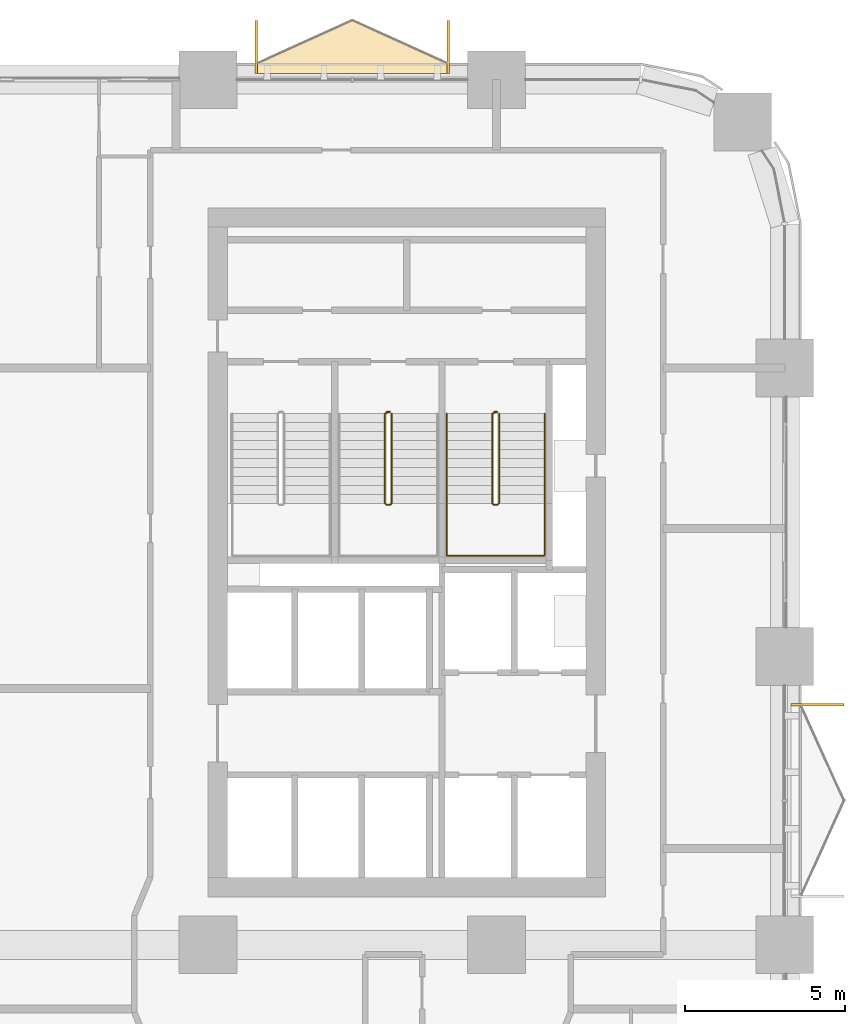
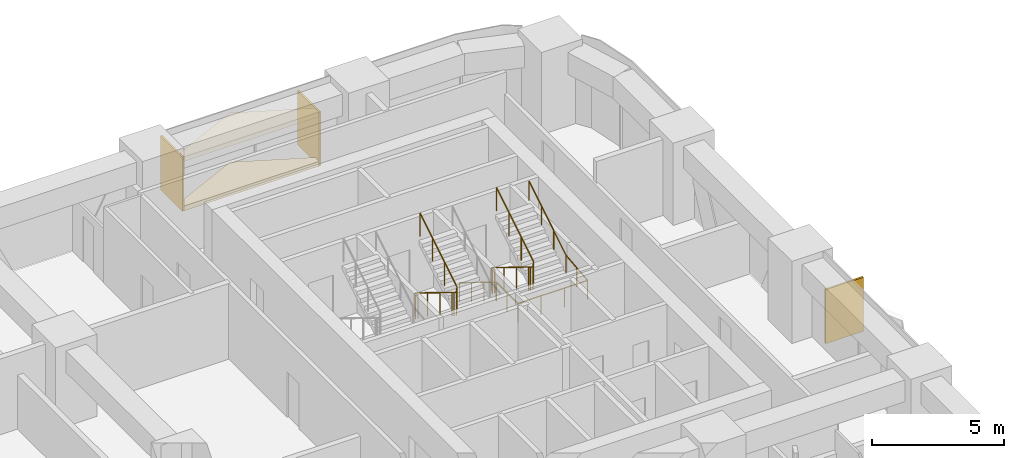
# One storey, part 21 of 21: 5 coverings, 3 railings.
"""IFC4 building model written with IfcOpenShell, lengths in metres."""

from ifc_helpers import new_model, si_unit, direction, frame, origin, origin_2d, place, context, subcontext, project, spatial, polyline, circle, outline, extrude, material, layer, layer_set, type_object, element, save


model = new_model("IFC4")

# Units and contexts
model_context = context("Model", 3, precision=1e-05, world=origin(), true_north=direction((0.0, 1.0)))
body_context = subcontext(model_context, "Body", "Model", "MODEL_VIEW")
ifc_project = project(units=[si_unit("LENGTHUNIT", "METRE"), si_unit("AREAUNIT", "SQUARE_METRE"), si_unit("VOLUMEUNIT", "CUBIC_METRE"), si_unit("PLANEANGLEUNIT", "RADIAN"), si_unit("MASSUNIT", "GRAM", prefix="KILO")], contexts=[model_context])

# Site, building, storey
site_placement = place(None, origin())
site = spatial("IfcSite", under=ifc_project, at=site_placement, CompositionType="ELEMENT")
building_placement = place(site_placement, origin())
building = spatial("IfcBuilding", under=site, at=building_placement, Name="Tessera Arch", CompositionType="ELEMENT")
storey_placement = place(building_placement, frame((0.0, 0.0, 42.39990234375)))
storey = spatial("IfcBuildingStorey", under=building, at=storey_placement, Name="L08", CompositionType="ELEMENT", Elevation=42.39990234375)

# Railings
ifc_material_1 = material(Name="Painted steel balustrade", Category="steel")
railing_type_1 = type_object("IfcRailingType", Name="Stair guard 1100", PredefinedType="GUARDRAIL", material=ifc_material_1)
railing_1_placement = place(storey_placement, frame((41.570068359375, 43.6298828125, 0.0)))
element("IfcRailing", 1, at=railing_1_placement, inside=storey, type_object=railing_type_1, Name="L08 S1b stair guard 1", PredefinedType="GUARDRAIL", context=body_context, shape_type="SweptSolid", body=[
    extrude(circle(Radius=0.02392578125, at=origin_2d()), frame((-0.00390625, 0.0, 1.076171875), z_axis=(1.0, 0.0, 0.0), x_axis=(0.0, 1.0, 0.0)), (0.0, 0.0, 1.0), 0.117919921875),
    extrude(circle(Radius=0.02392578125, at=origin_2d()), frame((0.112548828125, 0.000732421875, 1.0732421875), z_axis=(-0.664399645116, -0.206927523059, 0.718160227087), x_axis=(0.297361876254, -0.954764847777, 0.0)), (0.0, 0.0, 1.0), 0.248779296875),
    extrude(circle(Radius=0.02392578125, at=origin_2d()), frame((-0.050048828125, -0.04638671875, 1.246826171875), z_axis=(0.0, -0.851089632645, 0.525020415988), x_axis=(1.0, 0.0, 0.0)), (0.0, 0.0, 1.0), 3.2978515625),
    extrude(circle(Radius=0.02392578125, at=origin_2d()), frame((-0.052978515625, -2.846923828125, 2.97607421875), z_axis=(0.707106781187, -0.707106781187, 0.0), x_axis=(0.707106781187, 0.707106781187, 0.0)), (0.0, 0.0, 1.0), 0.078857421875),
    extrude(circle(Radius=0.02392578125, at=origin_2d()), frame((-0.00390625, -2.89990234375, 2.97607421875), z_axis=(1.0, 0.0, 0.0), x_axis=(0.0, 1.0, 0.0)), (0.0, 0.0, 1.0), 0.117919921875),
    extrude(circle(Radius=0.02392578125, at=origin_2d()), frame((0.10888671875, -2.90087890625, 2.972412109375), z_axis=(0.268277960024, 0.268277960024, 0.925231793839), x_axis=(-0.707106781187, 0.707106781187, 0.0)), (0.0, 0.0, 1.0), 0.194580078125),
    extrude(circle(Radius=0.02392578125, at=origin_2d()), frame((0.159912109375, -2.853271484375, 3.146728515625), z_axis=(0.0, 0.851089632645, 0.525020415988), x_axis=(-1.0, 0.0, 0.0)), (0.0, 0.0, 1.0), 3.2978515625),
    extrude(circle(Radius=0.02099609375, at=origin_2d()), origin(), (0.0, 0.0, 1.0), 1.06396484375),
    extrude(circle(Radius=0.02099609375, at=origin_2d()), frame((0.10986328125, 0.0, 0.0)), (0.0, 0.0, 1.0), 1.06396484375),
    extrude(circle(Radius=0.02099609375, at=origin_2d()), frame((-0.050048828125, -0.0498046875, 0.1728515625)), (0.0, 0.0, 1.0), 1.06396484375),
    extrude(circle(Radius=0.02099609375, at=origin_2d()), frame((-0.050048828125, -0.983154296875, 0.74853515625)), (0.0, 0.0, 1.0), 1.06396484375),
    extrude(circle(Radius=0.02099609375, at=origin_2d()), frame((-0.050048828125, -1.91650390625, 1.324462890625)), (0.0, 0.0, 1.0), 1.06396484375),
    extrude(circle(Radius=0.02099609375, at=origin_2d()), frame((-0.050048828125, -2.849853515625, 1.900146484375)), (0.0, 0.0, 1.0), 1.06396484375),
    extrude(circle(Radius=0.02099609375, at=origin_2d()), frame((0.0, -2.89990234375, 1.900146484375)), (0.0, 0.0, 1.0), 1.06396484375),
    extrude(circle(Radius=0.02099609375, at=origin_2d()), frame((0.10986328125, -2.89990234375, 1.900146484375)), (0.0, 0.0, 1.0), 1.06396484375),
    extrude(circle(Radius=0.02099609375, at=origin_2d()), frame((0.159912109375, -2.849853515625, 2.07275390625)), (0.0, 0.0, 1.0), 1.06396484375),
    extrude(circle(Radius=0.02099609375, at=origin_2d()), frame((0.159912109375, -1.91650390625, 2.6484375)), (0.0, 0.0, 1.0), 1.06396484375),
    extrude(circle(Radius=0.02099609375, at=origin_2d()), frame((0.159912109375, -0.983154296875, 3.224365234375)), (0.0, 0.0, 1.0), 1.06396484375),
    extrude(circle(Radius=0.02099609375, at=origin_2d()), frame((0.159912109375, -0.0498046875, 3.800048828125)), (0.0, 0.0, 1.0), 1.06396484375),
])
railing_2_placement = place(storey_placement, frame((44.919921875, 43.6298828125, 0.0)))
element("IfcRailing", 2, at=railing_2_placement, inside=storey, type_object=railing_type_1, Name="L08 S1c stair guard 1", PredefinedType="GUARDRAIL", context=body_context, shape_type="SweptSolid", body=[
    extrude(circle(Radius=0.02392578125, at=origin_2d()), frame((-0.00390625, 0.0, 1.076171875), z_axis=(1.0, 0.0, 0.0), x_axis=(0.0, 1.0, 0.0)), (0.0, 0.0, 1.0), 0.1181640625),
    extrude(circle(Radius=0.02392578125, at=origin_2d()), frame((0.11279296875, 0.000732421875, 1.0732421875), z_axis=(-0.664399645116, -0.206927523059, 0.718160227087), x_axis=(0.297361876254, -0.954764847777, 0.0)), (0.0, 0.0, 1.0), 0.248779296875),
    extrude(circle(Radius=0.02392578125, at=origin_2d()), frame((-0.0498046875, -0.04638671875, 1.246826171875), z_axis=(0.0, -0.851089632645, 0.525020415988), x_axis=(1.0, 0.0, 0.0)), (0.0, 0.0, 1.0), 3.2978515625),
    extrude(circle(Radius=0.02392578125, at=origin_2d()), frame((-0.052734375, -2.846923828125, 2.97607421875), z_axis=(0.705375805398, -0.708833529934, 0.0), x_axis=(0.708833529934, 0.705375805398, 0.0)), (0.0, 0.0, 1.0), 0.07861328125),
    extrude(circle(Radius=0.02392578125, at=origin_2d()), frame((-0.00390625, -2.89990234375, 2.97607421875), z_axis=(1.0, 0.0, 0.0), x_axis=(0.0, 1.0, 0.0)), (0.0, 0.0, 1.0), 0.1181640625),
    extrude(circle(Radius=0.02392578125, at=origin_2d()), frame((0.109130859375, -2.90087890625, 2.972412109375), z_axis=(0.268277960024, 0.268277960024, 0.925231793839), x_axis=(-0.707106781187, 0.707106781187, 0.0)), (0.0, 0.0, 1.0), 0.194580078125),
    extrude(circle(Radius=0.02392578125, at=origin_2d()), frame((0.16015625, -2.853271484375, 3.146728515625), z_axis=(0.0, 0.851089632645, 0.525020415988), x_axis=(-1.0, 0.0, 0.0)), (0.0, 0.0, 1.0), 3.2978515625),
    extrude(circle(Radius=0.02099609375, at=origin_2d()), origin(), (0.0, 0.0, 1.0), 1.06396484375),
    extrude(circle(Radius=0.02099609375, at=origin_2d()), frame((0.110107421875, 0.0, 0.0)), (0.0, 0.0, 1.0), 1.06396484375),
    extrude(circle(Radius=0.02099609375, at=origin_2d()), frame((-0.0498046875, -0.0498046875, 0.1728515625)), (0.0, 0.0, 1.0), 1.06396484375),
    extrude(circle(Radius=0.02099609375, at=origin_2d()), frame((-0.0498046875, -0.983154296875, 0.74853515625)), (0.0, 0.0, 1.0), 1.06396484375),
    extrude(circle(Radius=0.02099609375, at=origin_2d()), frame((-0.0498046875, -1.91650390625, 1.324462890625)), (0.0, 0.0, 1.0), 1.06396484375),
    extrude(circle(Radius=0.02099609375, at=origin_2d()), frame((-0.0498046875, -2.849853515625, 1.900146484375)), (0.0, 0.0, 1.0), 1.06396484375),
    extrude(circle(Radius=0.02099609375, at=origin_2d()), frame((0.0, -2.89990234375, 1.900146484375)), (0.0, 0.0, 1.0), 1.06396484375),
    extrude(circle(Radius=0.02099609375, at=origin_2d()), frame((0.110107421875, -2.89990234375, 1.900146484375)), (0.0, 0.0, 1.0), 1.06396484375),
    extrude(circle(Radius=0.02099609375, at=origin_2d()), frame((0.16015625, -2.849853515625, 2.07275390625)), (0.0, 0.0, 1.0), 1.06396484375),
    extrude(circle(Radius=0.02099609375, at=origin_2d()), frame((0.16015625, -1.91650390625, 2.6484375)), (0.0, 0.0, 1.0), 1.06396484375),
    extrude(circle(Radius=0.02099609375, at=origin_2d()), frame((0.16015625, -0.983154296875, 3.224365234375)), (0.0, 0.0, 1.0), 1.06396484375),
    extrude(circle(Radius=0.02099609375, at=origin_2d()), frame((0.16015625, -0.0498046875, 3.800048828125)), (0.0, 0.0, 1.0), 1.06396484375),
])
ifc_material_2 = material(Name="Painted steel handrail", Category="steel")
railing_type_2 = type_object("IfcRailingType", Name="Stair handrail 900", PredefinedType="HANDRAIL", material=ifc_material_2)
railing_3_placement = place(storey_placement, frame((43.449951171875, 43.580078125, 0.1728515625)))
element("IfcRailing", 3, at=railing_3_placement, inside=storey, type_object=railing_type_2, Name="L08 S1c stair handrail", PredefinedType="HANDRAIL", context=body_context, shape_type="SweptSolid", body=[
    extrude(circle(Radius=0.02392578125, at=origin_2d()), frame((0.0, 0.00341796875, 0.873779296875), z_axis=(0.0, -0.851089632645, 0.525020415988), x_axis=(1.0, 0.0, 0.0)), (0.0, 0.0, 1.0), 3.2978515625),
    extrude(circle(Radius=0.02392578125, at=origin_2d()), frame((0.0, -2.796142578125, 2.60302734375), z_axis=(0.0, -1.0, 0.0), x_axis=(1.0, 0.0, 0.0)), (0.0, 0.0, 1.0), 1.63818359375),
    extrude(circle(Radius=0.02392578125, at=origin_2d()), frame((-0.00390625, -4.43017578125, 2.60302734375), z_axis=(1.0, 0.0, 0.0), x_axis=(0.0, 1.0, 0.0)), (0.0, 0.0, 1.0), 3.05810546875),
    extrude(circle(Radius=0.02392578125, at=origin_2d()), frame((3.050048828125, -4.43408203125, 2.602783203125), z_axis=(0.0, 0.994440793715, 0.105297235459), x_axis=(-1.0, 0.0, 0.0)), (0.0, 0.0, 1.0), 1.647216796875),
    extrude(circle(Radius=0.02392578125, at=origin_2d()), frame((3.050048828125, -2.803466796875, 2.773681640625), z_axis=(0.0, 0.851089632645, 0.525020415988), x_axis=(-1.0, 0.0, 0.0)), (0.0, 0.0, 1.0), 3.2978515625),
    extrude(circle(Radius=0.02099609375, at=origin_2d()), origin(), (0.0, 0.0, 1.0), 0.86376953125),
    extrude(circle(Radius=0.02099609375, at=origin_2d()), frame((0.0, -0.933349609375, 0.57568359375)), (0.0, 0.0, 1.0), 0.86376953125),
    extrude(circle(Radius=0.02099609375, at=origin_2d()), frame((0.0, -1.86669921875, 1.151611328125)), (0.0, 0.0, 1.0), 0.86376953125),
    extrude(circle(Radius=0.02099609375, at=origin_2d()), frame((0.0, -2.800048828125, 1.727294921875)), (0.0, 0.0, 1.0), 0.86376953125),
    extrude(circle(Radius=0.02099609375, at=origin_2d()), frame((0.0, -3.615234375, 1.727294921875)), (0.0, 0.0, 1.0), 0.86376953125),
    extrude(circle(Radius=0.02099609375, at=origin_2d()), frame((0.0, -4.43017578125, 1.727294921875)), (0.0, 0.0, 1.0), 0.86376953125),
    extrude(circle(Radius=0.02099609375, at=origin_2d()), frame((1.0166015625, -4.43017578125, 1.727294921875)), (0.0, 0.0, 1.0), 0.86376953125),
    extrude(circle(Radius=0.02099609375, at=origin_2d()), frame((2.033447265625, -4.43017578125, 1.727294921875)), (0.0, 0.0, 1.0), 0.86376953125),
    extrude(circle(Radius=0.02099609375, at=origin_2d()), frame((3.050048828125, -4.43017578125, 1.727294921875)), (0.0, 0.0, 1.0), 0.86376953125),
    extrude(circle(Radius=0.02099609375, at=origin_2d()), frame((3.050048828125, -3.615234375, 1.8134765625)), (0.0, 0.0, 1.0), 0.86376953125),
    extrude(circle(Radius=0.02099609375, at=origin_2d()), frame((3.050048828125, -2.800048828125, 1.89990234375)), (0.0, 0.0, 1.0), 0.86376953125),
    extrude(circle(Radius=0.02099609375, at=origin_2d()), frame((3.050048828125, -1.86669921875, 2.4755859375)), (0.0, 0.0, 1.0), 0.86376953125),
    extrude(circle(Radius=0.02099609375, at=origin_2d()), frame((3.050048828125, -0.933349609375, 3.051513671875)), (0.0, 0.0, 1.0), 0.86376953125),
    extrude(circle(Radius=0.02099609375, at=origin_2d()), frame((3.050048828125, 0.0, 3.627197265625)), (0.0, 0.0, 1.0), 0.86376953125),
])

# Coverings
ifc_material_3 = material(Name="Anodised aluminium pale metal", Category="aluminium")
ifc_layer_1 = layer(ifc_material_3, 0.080078125)
ifc_layer_set_1 = layer_set([ifc_layer_1], Name="Window box cheek")
covering_type_1 = type_object("IfcCoveringType", Name="Window box cheek", PredefinedType="CLADDING", material=ifc_layer_set_1)
covering_1_placement = place(storey_placement, origin())
element("IfcCovering", 4, at=covering_1_placement, inside=storey, type_object=covering_type_1, Name="Window box N54.0/1.0 2x1 cheek", PredefinedType="CLADDING", context=body_context, shape_type="SweptSolid", body=[
    extrude(outline(polyline([(43.530029296875, 55.85009765625), (43.449951171875, 55.85009765625), (43.449951171875, 54.199951171875), (43.530029296875, 54.199951171875), (43.530029296875, 55.85009765625)])), origin(), (0.0, 0.0, 1.0), 2.5),
])
covering_2_placement = place(storey_placement, origin())
element("IfcCovering", 5, at=covering_2_placement, inside=storey, type_object=covering_type_1, Name="Window box N54.0/1.0 2x1 cheek", PredefinedType="CLADDING", context=body_context, shape_type="SweptSolid", body=[
    extrude(outline(polyline([(37.550048828125, 55.85009765625), (37.469970703125, 55.85009765625), (37.469970703125, 54.199951171875), (37.550048828125, 54.199951171875), (37.550048828125, 55.85009765625)])), origin(), (0.0, 0.0, 1.0), 2.5),
])
covering_3_placement = place(storey_placement, origin())
element("IfcCovering", 6, at=covering_3_placement, inside=storey, type_object=covering_type_1, Name="Window box E54.0/3.0 2x1 cheek", PredefinedType="CLADDING", context=body_context, shape_type="SweptSolid", body=[
    extrude(outline(polyline([(55.85009765625, 34.449951171875), (55.85009765625, 34.530029296875), (54.199951171875, 34.530029296875), (54.199951171875, 34.449951171875), (55.85009765625, 34.449951171875)])), origin(), (0.0, 0.0, 1.0), 2.5),
])
ifc_material_4 = material(Name="Anodised aluminium turquoise", Category="aluminium")
ifc_layer_2 = layer(ifc_material_4, 0.219970703125)
ifc_layer_set_2 = layer_set([ifc_layer_2], Name="Window box frame plate turquoise")
covering_type_2 = type_object("IfcCoveringType", Name="Window box frame plate turquoise", PredefinedType="CLADDING", material=ifc_layer_set_2)
covering_4_placement = place(storey_placement, origin())
element("IfcCovering", 7, at=covering_4_placement, inside=storey, type_object=covering_type_2, Name="Window box N54.0/1.0 2x1 floor", PredefinedType="CLADDING", context=body_context, shape_type="SweptSolid", body=[
    extrude(outline(polyline([(43.449951171875, 54.510009765625), (40.5, 55.85009765625), (37.550048828125, 54.510009765625), (37.550048828125, 54.199951171875), (43.449951171875, 54.199951171875), (43.449951171875, 54.510009765625)])), origin(), (0.0, 0.0, 1.0), 0.22021484375),
])
covering_5_placement = place(storey_placement, frame((0.0, 0.0, 2.280029296875)))
element("IfcCovering", 8, at=covering_5_placement, inside=storey, type_object=covering_type_2, Name="Window box N54.0/1.0 2x1 roof", PredefinedType="CLADDING", context=body_context, shape_type="SweptSolid", body=[
    extrude(outline(polyline([(43.449951171875, 54.510009765625), (40.5, 55.85009765625), (37.550048828125, 54.510009765625), (37.550048828125, 54.199951171875), (43.449951171875, 54.199951171875), (43.449951171875, 54.510009765625)])), origin(), (0.0, 0.0, 1.0), 0.219970703125),
])

save(model, "model.ifc")
